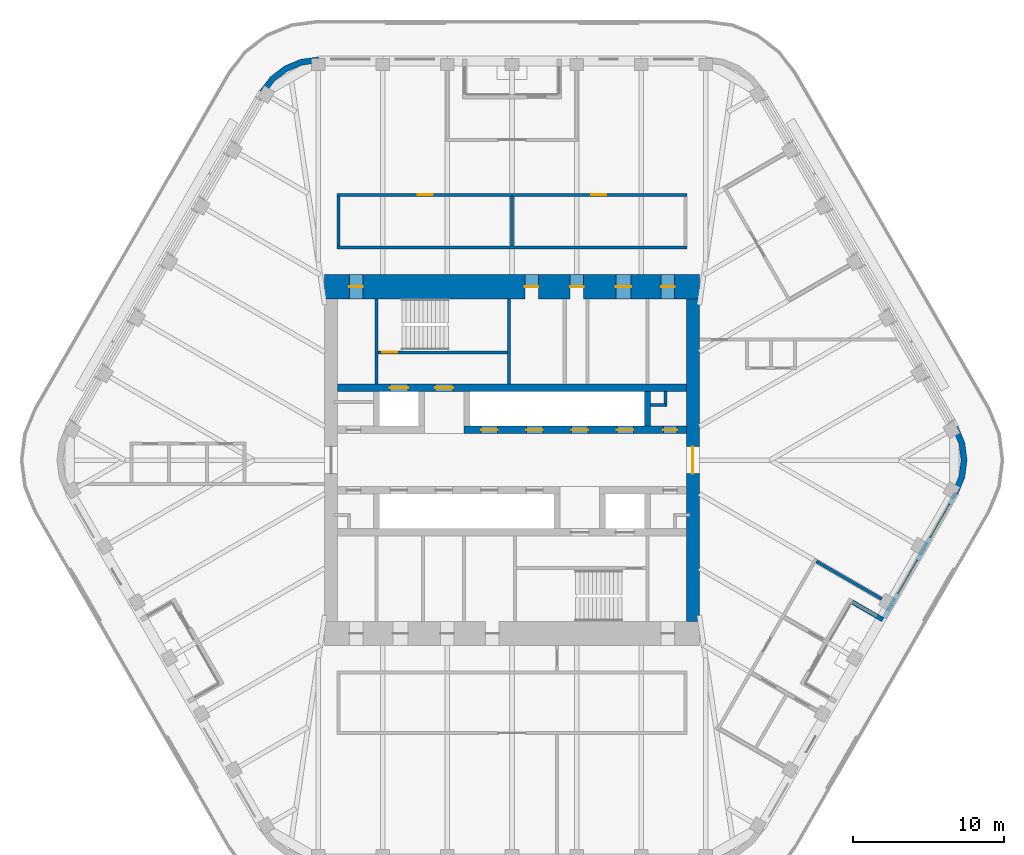
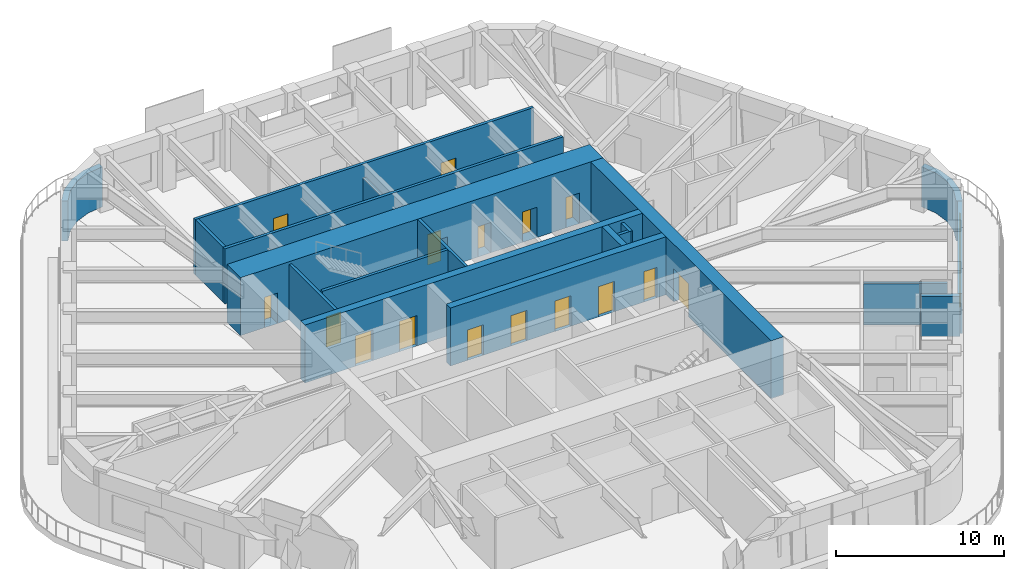
# One storey, part 15 of 19: 19 walls, 16 doors, 2 windows, 18 openings.
"""IFC4 building model written with IfcOpenShell, lengths in metres."""

from ifc_helpers import new_model, si_unit, direction, frame, frame_2d, origin, place, context, subcontext, project, spatial, polyline, rectangle, outline, extrude, material, layer, layer_set, type_object, element, fill, save


model = new_model("IFC4")

# Units and contexts
model_context = context("Model", 3, precision=1e-05, world=origin(), true_north=direction((0.0, 1.0)))
body_context = subcontext(model_context, "Body", "Model", "MODEL_VIEW")
ifc_project = project(units=[si_unit("LENGTHUNIT", "METRE"), si_unit("AREAUNIT", "SQUARE_METRE"), si_unit("VOLUMEUNIT", "CUBIC_METRE"), si_unit("PLANEANGLEUNIT", "RADIAN"), si_unit("MASSUNIT", "GRAM", prefix="KILO")], contexts=[model_context])

# Site, building, storey
site_placement = place(None, origin())
site = spatial("IfcSite", under=ifc_project, at=site_placement, CompositionType="ELEMENT")
building_placement = place(site_placement, origin())
building = spatial("IfcBuilding", under=site, at=building_placement, Name="Tarfa Lantern Tower", CompositionType="ELEMENT")
storey_placement = place(building_placement, frame((0.0, 0.0, 361.89990234375)))
storey = spatial("IfcBuildingStorey", under=building, at=storey_placement, Name="L82", CompositionType="ELEMENT", Elevation=361.89990234375)

# Wall, openings, windows
ifc_material_1 = material(Name="Limestone cladding on blockwork", Category="masonry")
ifc_layer_1 = layer(ifc_material_1, 0.300048828125)
ifc_layer_set_1 = layer_set([ifc_layer_1], Name="EW1 STONE-CLAD WALL 300")
wall_type_1 = type_object("IfcWallType", Name="EW1 STONE-CLAD WALL 300", PredefinedType="SOLIDWALL", material=ifc_layer_set_1)
wall_1_placement = place(storey_placement, frame((24.67724609375, -10.457763671875, 0.0), z_axis=(0.0, 0.0, 1.0), x_axis=(0.499996453679, 0.866027451244, 0.0)))
wall_1 = element("IfcWall", 1, at=wall_1_placement, inside=storey, type_object=wall_type_1, Name="Stone wall SEB", PredefinedType="SOLIDWALL", context=body_context, shape_type="SweptSolid", body=[
    extrude(rectangle(XDim=9.56396484375, YDim=0.300048828125, at=frame_2d((4.781982421875, 0.0))), origin(), (0.0, 0.0, 1.0), 2.900146484375),
])
opening_1_placement = place(wall_1_placement, frame((1.865966796875, 0.0, 0.60009765625)))
opening_1 = element("IfcOpeningElement", 2, at=opening_1_placement, cuts=wall_1, Name="Opening W17", PredefinedType="OPENING", context=body_context, shape_type="SweptSolid", body=[
    extrude(rectangle(XDim=2.550048828125, YDim=2.050048828125, at=frame_2d((1.27490234375, 1.02490234375))), frame((0.0, 0.159912109375, 0.0), z_axis=(0.0, -1.0, 0.0), x_axis=(1.0, 0.0, 0.0)), (0.0, 0.0, 1.0), 0.320068359375),
])
opening_2_placement = place(wall_1_placement, frame((6.14794921875, 0.0, 0.60009765625)))
opening_2 = element("IfcOpeningElement", 3, at=opening_2_placement, cuts=wall_1, Name="Opening W17", PredefinedType="OPENING", context=body_context, shape_type="SweptSolid", body=[
    extrude(rectangle(XDim=2.550048828125, YDim=2.050048828125, at=frame_2d((1.27490234375, 1.02490234375))), frame((0.0, 0.159912109375, 0.0), z_axis=(0.0, -1.0, 0.0), x_axis=(1.0, 0.0, 0.0)), (0.0, 0.0, 1.0), 0.320068359375),
])
ifc_material_2 = material(Name="Aluminium frame, double glazed", Category="aluminium")
window_type = type_object("IfcWindowType", Name="W17 FULL-HEIGHT GLAZING 2550x2050", PartitioningType="SINGLE_PANEL", PredefinedType="WINDOW", material=ifc_material_2)
window_1_placement = place(opening_1_placement, origin())
window_1 = element("IfcWindow", 4, at=window_1_placement, inside=storey, type_object=window_type, Name="Window SEB 1", OverallHeight=2.050048828125, OverallWidth=2.550048828125, PartitioningType="SINGLE_PANEL", PredefinedType="WINDOW", context=body_context, shape_type="SweptSolid", body=[
    extrude(rectangle(XDim=2.550048828125, YDim=2.050048828125, at=frame_2d((1.27490234375, 1.02490234375))), frame((0.0, 0.030029296875, 0.0), z_axis=(0.0, -1.0, 0.0), x_axis=(1.0, 0.0, 0.0)), (0.0, 0.0, 1.0), 0.06005859375),
])
fill(opening_1, window_1)
window_2_placement = place(opening_2_placement, origin())
window_2 = element("IfcWindow", 5, at=window_2_placement, inside=storey, type_object=window_type, Name="Window SEB 2", OverallHeight=2.050048828125, OverallWidth=2.550048828125, PartitioningType="SINGLE_PANEL", PredefinedType="WINDOW", context=body_context, shape_type="SweptSolid", body=[
    extrude(rectangle(XDim=2.550048828125, YDim=2.050048828125, at=frame_2d((1.27490234375, 1.02490234375))), frame((0.0, 0.030029296875, 0.0), z_axis=(0.0, -1.0, 0.0), x_axis=(1.0, 0.0, 0.0)), (0.0, 0.0, 1.0), 0.06005859375),
])
fill(opening_2, window_2)

# Walls
wall_2_placement = place(storey_placement, frame((24.602294921875, -10.587646484375, 0.0), z_axis=(0.0, 0.0, 1.0), x_axis=(-0.866016039709, 0.500016218704, 0.0)))
element("IfcWall", 6, at=wall_2_placement, inside=storey, type_object=wall_type_1, Name="Terrace return SE 2", PredefinedType="SOLIDWALL", context=body_context, shape_type="SweptSolid", body=[
    extrude(rectangle(XDim=2.35009765625, YDim=0.300048828125, at=frame_2d((1.175048828125, 0.0))), origin(), (0.0, 0.0, 1.0), 2.900146484375),
])
ifc_layer_2 = layer(ifc_material_1, 0.39990234375)
ifc_layer_set_2 = layer_set([ifc_layer_2], Name="EW2 CURVED STONE CORNER 400")
wall_type_2 = type_object("IfcWallType", Name="EW2 CURVED STONE CORNER 400", PredefinedType="SOLIDWALL", material=ifc_layer_set_2)
wall_3_placement = place(storey_placement, origin())
element("IfcWall", 7, at=wall_3_placement, inside=storey, type_object=wall_type_2, Name="Stone corner N-NW", PredefinedType="SOLIDWALL", context=body_context, shape_type="SweptSolid", body=[
    extrude(outline(polyline([(-12.845947265625, 26.75), (-14.0107421875, 26.5966796875), (-15.095947265625, 26.147216796875), (-16.028076171875, 25.431884765625), (-16.7431640625, 24.5), (-16.396728515625, 24.300048828125), (-15.7451171875, 25.149169921875), (-14.89599609375, 25.80078125), (-13.9072265625, 26.210205078125), (-12.845947265625, 26.35009765625), (-12.845947265625, 26.75)])), origin(), (0.0, 0.0, 1.0), 2.900146484375),
])
wall_4_placement = place(storey_placement, origin())
element("IfcWall", 8, at=wall_4_placement, inside=storey, type_object=wall_type_2, Name="Stone corner SE-NE", PredefinedType="SOLIDWALL", context=body_context, shape_type="SweptSolid", body=[
    extrude(outline(polyline([(29.589111328125, -2.25), (30.038818359375, -1.164794921875), (30.192138671875, 0.0), (30.038818359375, 1.164794921875), (29.589111328125, 2.25), (29.24267578125, 2.050048828125), (29.65234375, 1.061279296875), (29.7919921875, 0.0), (29.65234375, -1.061279296875), (29.24267578125, -2.050048828125), (29.589111328125, -2.25)])), origin(), (0.0, 0.0, 1.0), 2.900146484375),
])
ifc_material_3 = material(Name="Concrete blockwork", Category="masonry")
ifc_layer_3 = layer(ifc_material_3, 0.199951171875)
ifc_layer_set_3 = layer_set([ifc_layer_3], Name="IW1 BLOCKWORK PARTITION 200 EI 120")
wall_type_3 = type_object("IfcWallType", Name="IW1 BLOCKWORK PARTITION 200 EI 120", PredefinedType="PARTITIONING", material=ifc_layer_set_3)
wall_5_placement = place(storey_placement, frame((-9.0, 5.050048828125, 0.0), z_axis=(0.0, 0.0, 1.0), x_axis=(0.0, 1.0, 0.0)))
element("IfcWall", 9, at=wall_5_placement, inside=storey, type_object=wall_type_3, Name="Core partition", PredefinedType="PARTITIONING", context=body_context, shape_type="SweptSolid", body=[
    extrude(rectangle(XDim=5.64990234375, YDim=0.199951171875, at=frame_2d((2.824951171875, 0.0))), origin(), (0.0, 0.0, 1.0), 4.0),
])
for number, where, z_axis, x_axis, name in (
    (10, (9.199951171875, 3.64990234375, 0.0), (0.0, 0.0, 1.0), (1.0, 0.0, 0.0), "Core partition"),
    (11, (10.199951171875, 3.550048828125, 0.0), (0.0, 0.0, 1.0), (0.0, 1.0, 0.0), "Core partition"),
):
    element("IfcWall", number, at=place(storey_placement, frame(where, z_axis=z_axis, x_axis=x_axis)), inside=storey, type_object=wall_type_3, Name=name, PredefinedType="PARTITIONING", context=body_context, shape_type="SweptSolid", body=[
        extrude(rectangle(XDim=1.0, YDim=0.199951171875, at=frame_2d((0.5, 0.0))), origin(), (0.0, 0.0, 1.0), 4.0),
    ])
ifc_material_4 = material(Name="Gypsum board on steel studs", Category="steel")
ifc_layer_4 = layer(ifc_material_4, 0.2099609375)
ifc_layer_set_4 = layer_set([ifc_layer_4], Name="IW2 ACOUSTIC PARTITION 200")
wall_type_4 = type_object("IfcWallType", Name="IW2 ACOUSTIC PARTITION 200", PredefinedType="PARTITIONING", material=ifc_layer_set_4)
wall_6_placement = place(storey_placement, frame((-11.60009765625, 14.10009765625, 0.0), z_axis=(0.0, 0.0, 1.0), x_axis=(1.0, 0.0, 0.0)))
element("IfcWall", 12, at=wall_6_placement, inside=storey, type_object=wall_type_4, Name="Partition", PredefinedType="PARTITIONING", context=body_context, shape_type="SweptSolid", body=[
    extrude(rectangle(XDim=23.2001953125, YDim=0.199951171875, at=frame_2d((11.60009765625, 0.0))), origin(), (0.0, 0.0, 1.0), 4.0),
])

# Wall, openings, doors
wall_7_placement = place(storey_placement, frame((-11.60009765625, 17.60009765625, 0.0), z_axis=(0.0, 0.0, 1.0), x_axis=(1.0, 0.0, 0.0)))
wall_7 = element("IfcWall", 13, at=wall_7_placement, inside=storey, type_object=wall_type_4, Name="Partition", PredefinedType="PARTITIONING", context=body_context, shape_type="SweptSolid", body=[
    extrude(rectangle(XDim=23.2001953125, YDim=0.199951171875, at=frame_2d((11.60009765625, 0.0))), origin(), (0.0, 0.0, 1.0), 4.0),
])
opening_3_placement = place(wall_7_placement, frame((5.35009765625, 0.0, 0.0)))
opening_3 = element("IfcOpeningElement", 14, at=opening_3_placement, cuts=wall_7, Name="Opening D27", PredefinedType="OPENING", context=body_context, shape_type="SweptSolid", body=[
    extrude(rectangle(XDim=1.0, YDim=2.199951171875, at=frame_2d((0.5, 1.10009765625))), frame((0.0, 0.10986328125, 0.0), z_axis=(0.0, -1.0, 0.0), x_axis=(1.0, 0.0, 0.0)), (0.0, 0.0, 1.0), 0.219970703125),
])
opening_4_placement = place(wall_7_placement, frame((16.85009765625, 0.0, 0.0)))
opening_4 = element("IfcOpeningElement", 15, at=opening_4_placement, cuts=wall_7, Name="Opening D28", PredefinedType="OPENING", context=body_context, shape_type="SweptSolid", body=[
    extrude(rectangle(XDim=1.0, YDim=2.199951171875, at=frame_2d((0.5, 1.10009765625))), frame((0.0, 0.10986328125, 0.0), z_axis=(0.0, -1.0, 0.0), x_axis=(1.0, 0.0, 0.0)), (0.0, 0.0, 1.0), 0.219970703125),
])
ifc_material_5 = material(Name="Timber door", Category="wood")
door_type_1 = type_object("IfcDoorType", Name="DR1 ROOM DOOR 1000x2200", OperationType="SINGLE_SWING_LEFT", PredefinedType="DOOR", material=ifc_material_5)
door_1_placement = place(opening_3_placement, frame((1.0, 0.0, 0.0), z_axis=(0.0, 0.0, 1.0), x_axis=(-1.0, 0.0, 0.0)))
door_1 = element("IfcDoor", 16, at=door_1_placement, inside=storey, type_object=door_type_1, Name="Equipment store door", OperationType="SINGLE_SWING_LEFT", OverallHeight=2.199951171875, OverallWidth=1.0, PredefinedType="DOOR", context=body_context, shape_type="SweptSolid", body=[
    extrude(rectangle(XDim=1.0, YDim=2.199951171875, at=frame_2d((0.5, 1.10009765625))), frame((0.0, 0.02490234375, 0.0), z_axis=(0.0, -1.0, 0.0), x_axis=(1.0, 0.0, 0.0)), (0.0, 0.0, 1.0), 0.050048828125),
])
fill(opening_3, door_1)
door_2_placement = place(opening_4_placement, frame((1.0, 0.0, 0.0), z_axis=(0.0, 0.0, 1.0), x_axis=(-1.0, 0.0, 0.0)))
door_2 = element("IfcDoor", 17, at=door_2_placement, inside=storey, type_object=door_type_1, Name="Supplies store door", OperationType="SINGLE_SWING_RIGHT", OverallHeight=2.199951171875, OverallWidth=1.0, PredefinedType="DOOR", context=body_context, shape_type="SweptSolid", body=[
    extrude(rectangle(XDim=1.0, YDim=2.199951171875, at=frame_2d((0.5, 1.10009765625))), frame((0.0, 0.02490234375, 0.0), z_axis=(0.0, -1.0, 0.0), x_axis=(1.0, 0.0, 0.0)), (0.0, 0.0, 1.0), 0.050048828125),
])
fill(opening_4, door_2)

# Walls
wall_8_placement = place(storey_placement, frame((-11.5, 14.199951171875, 0.0), z_axis=(0.0, 0.0, 1.0), x_axis=(0.0, 1.0, 0.0)))
element("IfcWall", 18, at=wall_8_placement, inside=storey, type_object=wall_type_4, Name="Partition", PredefinedType="PARTITIONING", context=body_context, shape_type="SweptSolid", body=[
    extrude(rectangle(XDim=3.300048828125, YDim=0.199951171875, at=frame_2d((1.64990234375, 0.0))), origin(), (0.0, 0.0, 1.0), 4.0),
])
wall_9_placement = place(storey_placement, frame((0.0, 14.199951171875, 0.0), z_axis=(0.0, 0.0, 1.0), x_axis=(0.0, 1.0, 0.0)))
element("IfcWall", 19, at=wall_9_placement, inside=storey, type_object=wall_type_4, Name="Partition", PredefinedType="PARTITIONING", context=body_context, shape_type="SweptSolid", body=[
    extrude(rectangle(XDim=3.300048828125, YDim=0.199951171875, at=frame_2d((1.64990234375, 0.0))), origin(), (0.0, 0.0, 1.0), 2.991943359375),
])
wall_10_placement = place(storey_placement, frame((20.19775390625, -6.716552734375, 0.0), z_axis=(0.0, 0.0, 1.0), x_axis=(0.866022959057, -0.500004234368, 0.0)))
element("IfcWall", 20, at=wall_10_placement, inside=storey, type_object=wall_type_4, Name="Partition", PredefinedType="PARTITIONING", context=body_context, shape_type="SweptSolid", body=[
    extrude(rectangle(XDim=5.0, YDim=0.199951171875, at=frame_2d((2.5, 0.0))), origin(), (0.0, 0.0, 1.0), 2.991943359375),
])
ifc_material_6 = material(Name="Concrete C80/95", Category="concrete")
ifc_layer_5 = layer(ifc_material_6, 0.199951171875)
ifc_layer_set_5 = layer_set([ifc_layer_5], Name="SW12 CORE WALL 200")
wall_type_5 = type_object("IfcWallType", Name="SW12 CORE WALL 200", PredefinedType="SHEAR", material=ifc_layer_set_5)
wall_11_placement = place(storey_placement, frame((-0.199951171875, 5.050048828125, 0.0), z_axis=(0.0, 0.0, 1.0), x_axis=(0.0, 1.0, 0.0)))
element("IfcWall", 21, at=wall_11_placement, inside=storey, type_object=wall_type_5, Name="Core wall stair shaft N", PredefinedType="SHEAR", context=body_context, shape_type="SweptSolid", body=[
    extrude(rectangle(XDim=5.64990234375, YDim=0.199951171875, at=frame_2d((2.824951171875, 0.0))), origin(), (0.0, 0.0, 1.0), 4.2001953125),
])

# Wall, opening, door
wall_12_placement = place(storey_placement, frame((-8.89990234375, 7.14990234375, 0.0), z_axis=(0.0, 0.0, 1.0), x_axis=(1.0, 0.0, 0.0)))
wall_12 = element("IfcWall", 22, at=wall_12_placement, inside=storey, type_object=wall_type_5, Name="Core wall stair partition N", PredefinedType="SHEAR", context=body_context, shape_type="SweptSolid", body=[
    extrude(rectangle(XDim=8.599853515625, YDim=0.199951171875, at=frame_2d((4.2998046875, 0.0))), origin(), (0.0, 0.0, 1.0), 4.2001953125),
])
opening_5_placement = place(wall_12_placement, frame((0.300048828125, 0.0, 0.0)))
opening_5 = element("IfcOpeningElement", 23, at=opening_5_placement, cuts=wall_12, Name="Opening D19", PredefinedType="OPENING", context=body_context, shape_type="SweptSolid", body=[
    extrude(rectangle(XDim=1.0, YDim=2.199951171875, at=frame_2d((0.5, 1.10009765625))), frame((0.0, 0.10986328125, 0.0), z_axis=(0.0, -1.0, 0.0), x_axis=(1.0, 0.0, 0.0)), (0.0, 0.0, 1.0), 0.219970703125),
])
ifc_material_7 = material(Name="Steel fire door", Category="steel")
door_type_2 = type_object("IfcDoorType", Name="DF2 STAIR DOOR 1000x2200", OperationType="SINGLE_SWING_LEFT", PredefinedType="DOOR", material=ifc_material_7)
door_3_placement = place(opening_5_placement, origin())
door_3 = element("IfcDoor", 24, at=door_3_placement, inside=storey, type_object=door_type_2, Name="Stair door", OperationType="SINGLE_SWING_RIGHT", OverallHeight=2.199951171875, OverallWidth=1.0, PredefinedType="DOOR", context=body_context, shape_type="SweptSolid", body=[
    extrude(rectangle(XDim=1.0, YDim=2.199951171875, at=frame_2d((0.5, 1.10009765625))), frame((0.0, 0.02490234375, 0.0), z_axis=(0.0, -1.0, 0.0), x_axis=(1.0, 0.0, 0.0)), (0.0, 0.0, 1.0), 0.050048828125),
])
fill(opening_5, door_3)

ifc_layer_6 = layer(ifc_material_6, 0.85009765625)
ifc_layer_set_6 = layer_set([ifc_layer_6], Name="SW3 CORE WALL 850")
wall_type_6 = type_object("IfcWallType", Name="SW3 CORE WALL 850", PredefinedType="SHEAR", material=ifc_layer_set_6)
wall_13_placement = place(storey_placement, frame((12.0, -10.699951171875, 0.0), z_axis=(0.0, 0.0, 1.0), x_axis=(0.0, 1.0, 0.0)))
wall_13 = element("IfcWall", 25, at=wall_13_placement, inside=storey, type_object=wall_type_6, Name="Core wall E", PredefinedType="SHEAR", context=body_context, shape_type="SweptSolid", body=[
    extrude(rectangle(XDim=21.39990234375, YDim=0.85009765625, at=frame_2d((10.699951171875, 0.0))), origin(), (0.0, 0.0, 1.0), 4.2001953125),
])
opening_6_placement = place(wall_13_placement, frame((9.800048828125, 0.0, 0.0)))
opening_6 = element("IfcOpeningElement", 26, at=opening_6_placement, cuts=wall_13, Name="Opening D07", PredefinedType="OPENING", context=body_context, shape_type="SweptSolid", body=[
    extrude(rectangle(XDim=1.800048828125, YDim=2.39990234375, at=frame_2d((0.89990234375, 1.199951171875))), frame((0.0, 0.43505859375, 0.0), z_axis=(0.0, -1.0, 0.0), x_axis=(1.0, 0.0, 0.0)), (0.0, 0.0, 1.0), 0.8701171875),
])
door_type_3 = type_object("IfcDoorType", Name="DL1 LOBBY DOOR 1800x2400", OperationType="DOUBLE_DOOR_SINGLE_SWING", PredefinedType="DOOR", material=ifc_material_7)
door_4_placement = place(opening_6_placement, frame((1.800048828125, 0.0, 0.0), z_axis=(0.0, 0.0, 1.0), x_axis=(-1.0, 0.0, 0.0)))
door_4 = element("IfcDoor", 27, at=door_4_placement, inside=storey, type_object=door_type_3, Name="Lift lobby door", OperationType="DOUBLE_DOOR_SINGLE_SWING", OverallHeight=2.39990234375, OverallWidth=1.800048828125, PredefinedType="DOOR", context=body_context, shape_type="SweptSolid", body=[
    extrude(rectangle(XDim=1.800048828125, YDim=2.39990234375, at=frame_2d((0.89990234375, 1.199951171875))), frame((0.0, 0.02490234375, 0.0), z_axis=(0.0, -1.0, 0.0), x_axis=(1.0, 0.0, 0.0)), (0.0, 0.0, 1.0), 0.050048828125),
])
fill(opening_6, door_4)

# Wall, openings, doors
ifc_layer_7 = layer(ifc_material_6, 0.5)
ifc_layer_set_7 = layer_set([ifc_layer_7], Name="SW5 CORE WALL 500")
wall_type_7 = type_object("IfcWallType", Name="SW5 CORE WALL 500", PredefinedType="SHEAR", material=ifc_layer_set_7)
wall_14_placement = place(storey_placement, frame((-3.199951171875, 2.0, 0.0), z_axis=(0.0, 0.0, 1.0), x_axis=(1.0, 0.0, 0.0)))
wall_14 = element("IfcWall", 28, at=wall_14_placement, inside=storey, type_object=wall_type_7, Name="Core wall lobby east N", PredefinedType="SHEAR", context=body_context, shape_type="SweptSolid", body=[
    extrude(rectangle(XDim=14.77490234375, YDim=0.5, at=frame_2d((7.387451171875, 0.0))), origin(), (0.0, 0.0, 1.0), 4.2001953125),
])
opening_7_placement = place(wall_14_placement, frame((13.25, 0.0, 0.0)))
opening_7 = element("IfcOpeningElement", 29, at=opening_7_placement, cuts=wall_14, Name="Opening D09", PredefinedType="OPENING", context=body_context, shape_type="SweptSolid", body=[
    extrude(rectangle(XDim=0.89990234375, YDim=2.199951171875, at=frame_2d((0.449951171875, 1.10009765625))), frame((0.0, 0.260009765625, 0.0), z_axis=(0.0, -1.0, 0.0), x_axis=(1.0, 0.0, 0.0)), (0.0, 0.0, 1.0), 0.52001953125),
])
opening_8_placement = place(wall_14_placement, frame((1.14990234375, 0.0, 0.0)))
opening_8 = element("IfcOpeningElement", 30, at=opening_8_placement, cuts=wall_14, Name="Opening LD03", PredefinedType="OPENING", context=body_context, shape_type="SweptSolid", body=[
    extrude(rectangle(XDim=1.10009765625, YDim=2.199951171875, at=frame_2d((0.550048828125, 1.10009765625))), frame((0.0, 0.260009765625, 0.0), z_axis=(0.0, -1.0, 0.0), x_axis=(1.0, 0.0, 0.0)), (0.0, 0.0, 1.0), 0.52001953125),
])
opening_9_placement = place(wall_14_placement, frame((4.14990234375, 0.0, 0.0)))
opening_9 = element("IfcOpeningElement", 31, at=opening_9_placement, cuts=wall_14, Name="Opening LD04", PredefinedType="OPENING", context=body_context, shape_type="SweptSolid", body=[
    extrude(rectangle(XDim=1.10009765625, YDim=2.199951171875, at=frame_2d((0.550048828125, 1.10009765625))), frame((0.0, 0.260009765625, 0.0), z_axis=(0.0, -1.0, 0.0), x_axis=(1.0, 0.0, 0.0)), (0.0, 0.0, 1.0), 0.52001953125),
])
opening_10_placement = place(wall_14_placement, frame((7.14990234375, 0.0, 0.0)))
opening_10 = element("IfcOpeningElement", 32, at=opening_10_placement, cuts=wall_14, Name="Opening LD05", PredefinedType="OPENING", context=body_context, shape_type="SweptSolid", body=[
    extrude(rectangle(XDim=1.10009765625, YDim=2.199951171875, at=frame_2d((0.550048828125, 1.10009765625))), frame((0.0, 0.260009765625, 0.0), z_axis=(0.0, -1.0, 0.0), x_axis=(1.0, 0.0, 0.0)), (0.0, 0.0, 1.0), 0.52001953125),
])
opening_11_placement = place(wall_14_placement, frame((10.14990234375, 0.0, 0.0)))
opening_11 = element("IfcOpeningElement", 33, at=opening_11_placement, cuts=wall_14, Name="Opening LD06", PredefinedType="OPENING", context=body_context, shape_type="SweptSolid", body=[
    extrude(rectangle(XDim=1.10009765625, YDim=2.199951171875, at=frame_2d((0.550048828125, 1.10009765625))), frame((0.0, 0.260009765625, 0.0), z_axis=(0.0, -1.0, 0.0), x_axis=(1.0, 0.0, 0.0)), (0.0, 0.0, 1.0), 0.52001953125),
])
door_type_4 = type_object("IfcDoorType", Name="DF6 SERVICE ROOM DOOR 900x2200", OperationType="SINGLE_SWING_LEFT", PredefinedType="DOOR", material=ifc_material_7)
door_5_placement = place(opening_7_placement, origin())
door_5 = element("IfcDoor", 34, at=door_5_placement, inside=storey, type_object=door_type_4, Name="Service room door", OperationType="SINGLE_SWING_LEFT", OverallHeight=2.199951171875, OverallWidth=0.89990234375, PredefinedType="DOOR", context=body_context, shape_type="SweptSolid", body=[
    extrude(rectangle(XDim=0.89990234375, YDim=2.199951171875, at=frame_2d((0.449951171875, 1.10009765625))), frame((0.0, 0.02490234375, 0.0), z_axis=(0.0, -1.0, 0.0), x_axis=(1.0, 0.0, 0.0)), (0.0, 0.0, 1.0), 0.050048828125),
])
fill(opening_7, door_5)
ifc_material_8 = material(Name="Stainless steel lift door", Category="steel")
door_type_5 = type_object("IfcDoorType", Name="LD2 LIFT LANDING DOOR 1100x2200", OperationType="SLIDING_TO_LEFT", PredefinedType="DOOR", material=ifc_material_8)
door_6_placement = place(opening_8_placement, frame((1.10009765625, 0.0, 0.0), z_axis=(0.0, 0.0, 1.0), x_axis=(-1.0, 0.0, 0.0)))
door_6 = element("IfcDoor", 35, at=door_6_placement, inside=storey, type_object=door_type_5, Name="Landing door PD1", OperationType="SLIDING_TO_LEFT", OverallHeight=2.199951171875, OverallWidth=1.10009765625, PredefinedType="DOOR", context=body_context, shape_type="SweptSolid", body=[
    extrude(rectangle(XDim=1.10009765625, YDim=2.199951171875, at=frame_2d((0.550048828125, 1.10009765625))), frame((0.0, 0.02490234375, 0.0), z_axis=(0.0, -1.0, 0.0), x_axis=(1.0, 0.0, 0.0)), (0.0, 0.0, 1.0), 0.050048828125),
])
fill(opening_8, door_6)
door_7_placement = place(opening_9_placement, frame((1.10009765625, 0.0, 0.0), z_axis=(0.0, 0.0, 1.0), x_axis=(-1.0, 0.0, 0.0)))
door_7 = element("IfcDoor", 36, at=door_7_placement, inside=storey, type_object=door_type_5, Name="Landing door PD2", OperationType="SLIDING_TO_LEFT", OverallHeight=2.199951171875, OverallWidth=1.10009765625, PredefinedType="DOOR", context=body_context, shape_type="SweptSolid", body=[
    extrude(rectangle(XDim=1.10009765625, YDim=2.199951171875, at=frame_2d((0.550048828125, 1.10009765625))), frame((0.0, 0.02490234375, 0.0), z_axis=(0.0, -1.0, 0.0), x_axis=(1.0, 0.0, 0.0)), (0.0, 0.0, 1.0), 0.050048828125),
])
fill(opening_9, door_7)
door_8_placement = place(opening_10_placement, frame((1.10009765625, 0.0, 0.0), z_axis=(0.0, 0.0, 1.0), x_axis=(-1.0, 0.0, 0.0)))
door_8 = element("IfcDoor", 37, at=door_8_placement, inside=storey, type_object=door_type_5, Name="Landing door PD3", OperationType="SLIDING_TO_LEFT", OverallHeight=2.199951171875, OverallWidth=1.10009765625, PredefinedType="DOOR", context=body_context, shape_type="SweptSolid", body=[
    extrude(rectangle(XDim=1.10009765625, YDim=2.199951171875, at=frame_2d((0.550048828125, 1.10009765625))), frame((0.0, 0.02490234375, 0.0), z_axis=(0.0, -1.0, 0.0), x_axis=(1.0, 0.0, 0.0)), (0.0, 0.0, 1.0), 0.050048828125),
])
fill(opening_10, door_8)
door_9_placement = place(opening_11_placement, frame((1.10009765625, 0.0, 0.0), z_axis=(0.0, 0.0, 1.0), x_axis=(-1.0, 0.0, 0.0)))
door_9 = element("IfcDoor", 38, at=door_9_placement, inside=storey, type_object=door_type_5, Name="Landing door PD4", OperationType="SLIDING_TO_LEFT", OverallHeight=2.199951171875, OverallWidth=1.10009765625, PredefinedType="DOOR", context=body_context, shape_type="SweptSolid", body=[
    extrude(rectangle(XDim=1.10009765625, YDim=2.199951171875, at=frame_2d((0.550048828125, 1.10009765625))), frame((0.0, 0.02490234375, 0.0), z_axis=(0.0, -1.0, 0.0), x_axis=(1.0, 0.0, 0.0)), (0.0, 0.0, 1.0), 0.050048828125),
])
fill(opening_11, door_9)

wall_15_placement = place(storey_placement, frame((-11.574951171875, 4.800048828125, 0.0), z_axis=(0.0, 0.0, 1.0), x_axis=(1.0, 0.0, 0.0)))
wall_15 = element("IfcWall", 39, at=wall_15_placement, inside=storey, type_object=wall_type_7, Name="Core wall rear N", PredefinedType="SHEAR", context=body_context, shape_type="SweptSolid", body=[
    extrude(rectangle(XDim=23.14990234375, YDim=0.5, at=frame_2d((11.574951171875, 0.0))), origin(), (0.0, 0.0, 1.0), 4.2001953125),
])
opening_12_placement = place(wall_15_placement, frame((6.47509765625, 0.0, 0.0)))
opening_12 = element("IfcOpeningElement", 40, at=opening_12_placement, cuts=wall_15, Name="Opening D05", PredefinedType="OPENING", context=body_context, shape_type="SweptSolid", body=[
    extrude(rectangle(XDim=1.199951171875, YDim=2.199951171875, at=frame_2d((0.60009765625, 1.10009765625))), frame((0.0, 0.260009765625, 0.0), z_axis=(0.0, -1.0, 0.0), x_axis=(1.0, 0.0, 0.0)), (0.0, 0.0, 1.0), 0.52001953125),
])
opening_13_placement = place(wall_15_placement, frame((3.47509765625, 0.0, 0.0)))
opening_13 = element("IfcOpeningElement", 41, at=opening_13_placement, cuts=wall_15, Name="Opening LD01", PredefinedType="OPENING", context=body_context, shape_type="SweptSolid", body=[
    extrude(rectangle(XDim=1.199951171875, YDim=2.199951171875, at=frame_2d((0.60009765625, 1.10009765625))), frame((0.0, 0.260009765625, 0.0), z_axis=(0.0, -1.0, 0.0), x_axis=(1.0, 0.0, 0.0)), (0.0, 0.0, 1.0), 0.52001953125),
])
door_type_6 = type_object("IfcDoorType", Name="DF1 FIREFIGHTING LOBBY DOOR 1200x2200", OperationType="SINGLE_SWING_LEFT", PredefinedType="DOOR", material=ifc_material_7)
door_10_placement = place(opening_12_placement, origin())
door_10 = element("IfcDoor", 42, at=door_10_placement, inside=storey, type_object=door_type_6, Name="Firefighting lobby door", OperationType="SINGLE_SWING_LEFT", OverallHeight=2.199951171875, OverallWidth=1.199951171875, PredefinedType="DOOR", context=body_context, shape_type="SweptSolid", body=[
    extrude(rectangle(XDim=1.199951171875, YDim=2.199951171875, at=frame_2d((0.60009765625, 1.10009765625))), frame((0.0, 0.02490234375, 0.0), z_axis=(0.0, -1.0, 0.0), x_axis=(1.0, 0.0, 0.0)), (0.0, 0.0, 1.0), 0.050048828125),
])
fill(opening_12, door_10)
door_type_7 = type_object("IfcDoorType", Name="LD1 LIFT LANDING DOOR 1200x2200", OperationType="SLIDING_TO_LEFT", PredefinedType="DOOR", material=ifc_material_8)
door_11_placement = place(opening_13_placement, origin())
door_11 = element("IfcDoor", 43, at=door_11_placement, inside=storey, type_object=door_type_7, Name="Landing door FL1", OperationType="SLIDING_TO_LEFT", OverallHeight=2.199951171875, OverallWidth=1.199951171875, PredefinedType="DOOR", context=body_context, shape_type="SweptSolid", body=[
    extrude(rectangle(XDim=1.199951171875, YDim=2.199951171875, at=frame_2d((0.60009765625, 1.10009765625))), frame((0.0, 0.02490234375, 0.0), z_axis=(0.0, -1.0, 0.0), x_axis=(1.0, 0.0, 0.0)), (0.0, 0.0, 1.0), 0.050048828125),
])
fill(opening_13, door_11)

# Wall
ifc_layer_8 = layer(ifc_material_6, 0.39990234375)
ifc_layer_set_8 = layer_set([ifc_layer_8], Name="SW6 CORE WALL 400")
wall_type_8 = type_object("IfcWallType", Name="SW6 CORE WALL 400", PredefinedType="SHEAR", material=ifc_layer_set_8)
wall_16_placement = place(storey_placement, frame((9.0, 2.25, 0.0), z_axis=(0.0, 0.0, 1.0), x_axis=(0.0, 1.0, 0.0)))
element("IfcWall", 44, at=wall_16_placement, inside=storey, type_object=wall_type_8, Name="Core wall divider N", PredefinedType="SHEAR", context=body_context, shape_type="SweptSolid", body=[
    extrude(rectangle(XDim=2.300048828125, YDim=0.39990234375, at=frame_2d((1.14990234375, 0.0))), origin(), (0.0, 0.0, 1.0), 4.2001953125),
])

# Wall, openings, doors
ifc_layer_9 = layer(ifc_material_6, 1.60009765625)
ifc_layer_set_9 = layer_set([ifc_layer_9], Name="SW7 CORE WALL 1600")
wall_type_9 = type_object("IfcWallType", Name="SW7 CORE WALL 1600", PredefinedType="SHEAR", material=ifc_layer_set_9)
wall_17_placement = place(storey_placement, frame((-12.425048828125, 11.5, 0.0), z_axis=(0.0, 0.0, 1.0), x_axis=(1.0, 0.0, 0.0)))
wall_17 = element("IfcWall", 45, at=wall_17_placement, inside=storey, type_object=wall_type_9, Name="Core wall N", PredefinedType="SHEAR", context=body_context, shape_type="SweptSolid", body=[
    extrude(rectangle(XDim=24.85009765625, YDim=1.60009765625, at=frame_2d((12.425048828125, 0.0))), origin(), (0.0, 0.0, 1.0), 4.2001953125),
])
opening_14_placement = place(wall_17_placement, frame((13.27490234375, 0.0, 0.0)))
opening_14 = element("IfcOpeningElement", 46, at=opening_14_placement, cuts=wall_17, Name="Opening D13", PredefinedType="OPENING", context=body_context, shape_type="SweptSolid", body=[
    extrude(rectangle(XDim=0.89990234375, YDim=2.199951171875, at=frame_2d((0.449951171875, 1.10009765625))), frame((0.0, 0.81005859375, 0.0), z_axis=(0.0, -1.0, 0.0), x_axis=(1.0, 0.0, 0.0)), (0.0, 0.0, 1.0), 1.6201171875),
])
opening_15_placement = place(wall_17_placement, frame((16.27490234375, 0.0, 0.0)))
opening_15 = element("IfcOpeningElement", 47, at=opening_15_placement, cuts=wall_17, Name="Opening D15", PredefinedType="OPENING", context=body_context, shape_type="SweptSolid", body=[
    extrude(rectangle(XDim=0.89990234375, YDim=2.199951171875, at=frame_2d((0.449951171875, 1.10009765625))), frame((0.0, 0.81005859375, 0.0), z_axis=(0.0, -1.0, 0.0), x_axis=(1.0, 0.0, 0.0)), (0.0, 0.0, 1.0), 1.6201171875),
])
opening_16_placement = place(wall_17_placement, frame((19.324951171875, 0.0, 0.0)))
opening_16 = element("IfcOpeningElement", 48, at=opening_16_placement, cuts=wall_17, Name="Opening D17", PredefinedType="OPENING", context=body_context, shape_type="SweptSolid", body=[
    extrude(rectangle(XDim=1.0, YDim=2.199951171875, at=frame_2d((0.5, 1.10009765625))), frame((0.0, 0.81005859375, 0.0), z_axis=(0.0, -1.0, 0.0), x_axis=(1.0, 0.0, 0.0)), (0.0, 0.0, 1.0), 1.6201171875),
])
opening_17_placement = place(wall_17_placement, frame((1.637451171875, 0.0, 0.0)))
opening_17 = element("IfcOpeningElement", 49, at=opening_17_placement, cuts=wall_17, Name="Opening D03", PredefinedType="OPENING", context=body_context, shape_type="SweptSolid", body=[
    extrude(rectangle(XDim=0.89990234375, YDim=2.199951171875, at=frame_2d((0.449951171875, 1.10009765625))), frame((0.0, 0.81005859375, 0.0), z_axis=(0.0, -1.0, 0.0), x_axis=(1.0, 0.0, 0.0)), (0.0, 0.0, 1.0), 1.6201171875),
])
opening_18_placement = place(wall_17_placement, frame((22.3125, 0.0, 0.0)))
opening_18 = element("IfcOpeningElement", 50, at=opening_18_placement, cuts=wall_17, Name="Opening D01", PredefinedType="OPENING", context=body_context, shape_type="SweptSolid", body=[
    extrude(rectangle(XDim=0.89990234375, YDim=2.199951171875, at=frame_2d((0.449951171875, 1.10009765625))), frame((0.0, 0.81005859375, 0.0), z_axis=(0.0, -1.0, 0.0), x_axis=(1.0, 0.0, 0.0)), (0.0, 0.0, 1.0), 1.6201171875),
])
door_type_8 = type_object("IfcDoorType", Name="DF3 CORE ROOM DOOR 900x2200", OperationType="SINGLE_SWING_LEFT", PredefinedType="DOOR", material=ifc_material_7)
door_12_placement = place(opening_14_placement, frame((0.89990234375, 0.0, 0.0), z_axis=(0.0, 0.0, 1.0), x_axis=(-1.0, 0.0, 0.0)))
door_12 = element("IfcDoor", 51, at=door_12_placement, inside=storey, type_object=door_type_8, Name="Core door", OperationType="SINGLE_SWING_LEFT", OverallHeight=2.199951171875, OverallWidth=0.89990234375, PredefinedType="DOOR", context=body_context, shape_type="SweptSolid", body=[
    extrude(rectangle(XDim=0.89990234375, YDim=2.199951171875, at=frame_2d((0.449951171875, 1.10009765625))), frame((0.0, 0.02490234375, 0.0), z_axis=(0.0, -1.0, 0.0), x_axis=(1.0, 0.0, 0.0)), (0.0, 0.0, 1.0), 0.050048828125),
])
fill(opening_14, door_12)
door_13_placement = place(opening_15_placement, frame((0.89990234375, 0.0, 0.0), z_axis=(0.0, 0.0, 1.0), x_axis=(-1.0, 0.0, 0.0)))
door_13 = element("IfcDoor", 52, at=door_13_placement, inside=storey, type_object=door_type_8, Name="Core door", OperationType="SINGLE_SWING_RIGHT", OverallHeight=2.199951171875, OverallWidth=0.89990234375, PredefinedType="DOOR", context=body_context, shape_type="SweptSolid", body=[
    extrude(rectangle(XDim=0.89990234375, YDim=2.199951171875, at=frame_2d((0.449951171875, 1.10009765625))), frame((0.0, 0.02490234375, 0.0), z_axis=(0.0, -1.0, 0.0), x_axis=(1.0, 0.0, 0.0)), (0.0, 0.0, 1.0), 0.050048828125),
])
fill(opening_15, door_13)
door_type_9 = type_object("IfcDoorType", Name="DF4 CORE ROOM DOOR 1000x2200", OperationType="SINGLE_SWING_LEFT", PredefinedType="DOOR", material=ifc_material_7)
door_14_placement = place(opening_16_placement, frame((1.0, 0.0, 0.0), z_axis=(0.0, 0.0, 1.0), x_axis=(-1.0, 0.0, 0.0)))
door_14 = element("IfcDoor", 53, at=door_14_placement, inside=storey, type_object=door_type_9, Name="Core door", OperationType="SINGLE_SWING_RIGHT", OverallHeight=2.199951171875, OverallWidth=1.0, PredefinedType="DOOR", context=body_context, shape_type="SweptSolid", body=[
    extrude(rectangle(XDim=1.0, YDim=2.199951171875, at=frame_2d((0.5, 1.10009765625))), frame((0.0, 0.02490234375, 0.0), z_axis=(0.0, -1.0, 0.0), x_axis=(1.0, 0.0, 0.0)), (0.0, 0.0, 1.0), 0.050048828125),
])
fill(opening_16, door_14)
door_type_10 = type_object("IfcDoorType", Name="DF5 RISER DOOR 900x2200", OperationType="SINGLE_SWING_LEFT", PredefinedType="DOOR", material=ifc_material_7)
door_15_placement = place(opening_17_placement, frame((0.89990234375, 0.0, 0.0), z_axis=(0.0, 0.0, 1.0), x_axis=(-1.0, 0.0, 0.0)))
door_15 = element("IfcDoor", 54, at=door_15_placement, inside=storey, type_object=door_type_10, Name="Riser door", OperationType="SINGLE_SWING_LEFT", OverallHeight=2.199951171875, OverallWidth=0.89990234375, PredefinedType="DOOR", context=body_context, shape_type="SweptSolid", body=[
    extrude(rectangle(XDim=0.89990234375, YDim=2.199951171875, at=frame_2d((0.449951171875, 1.10009765625))), frame((0.0, 0.02490234375, 0.0), z_axis=(0.0, -1.0, 0.0), x_axis=(1.0, 0.0, 0.0)), (0.0, 0.0, 1.0), 0.050048828125),
])
fill(opening_17, door_15)
door_16_placement = place(opening_18_placement, frame((0.89990234375, 0.0, 0.0), z_axis=(0.0, 0.0, 1.0), x_axis=(-1.0, 0.0, 0.0)))
door_16 = element("IfcDoor", 55, at=door_16_placement, inside=storey, type_object=door_type_10, Name="Riser door", OperationType="SINGLE_SWING_RIGHT", OverallHeight=2.199951171875, OverallWidth=0.89990234375, PredefinedType="DOOR", context=body_context, shape_type="SweptSolid", body=[
    extrude(rectangle(XDim=0.89990234375, YDim=2.199951171875, at=frame_2d((0.449951171875, 1.10009765625))), frame((0.0, 0.02490234375, 0.0), z_axis=(0.0, -1.0, 0.0), x_axis=(1.0, 0.0, 0.0)), (0.0, 0.0, 1.0), 0.050048828125),
])
fill(opening_18, door_16)

save(model, "model.ifc")
